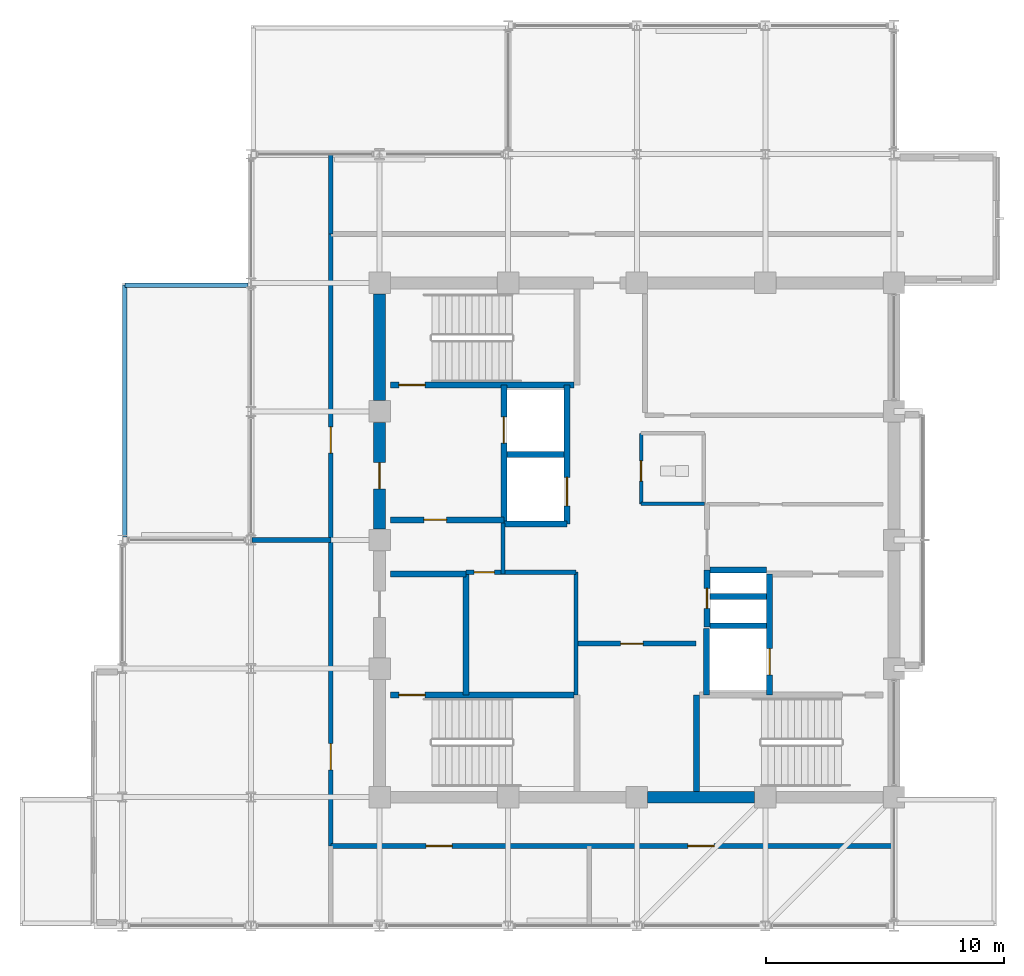
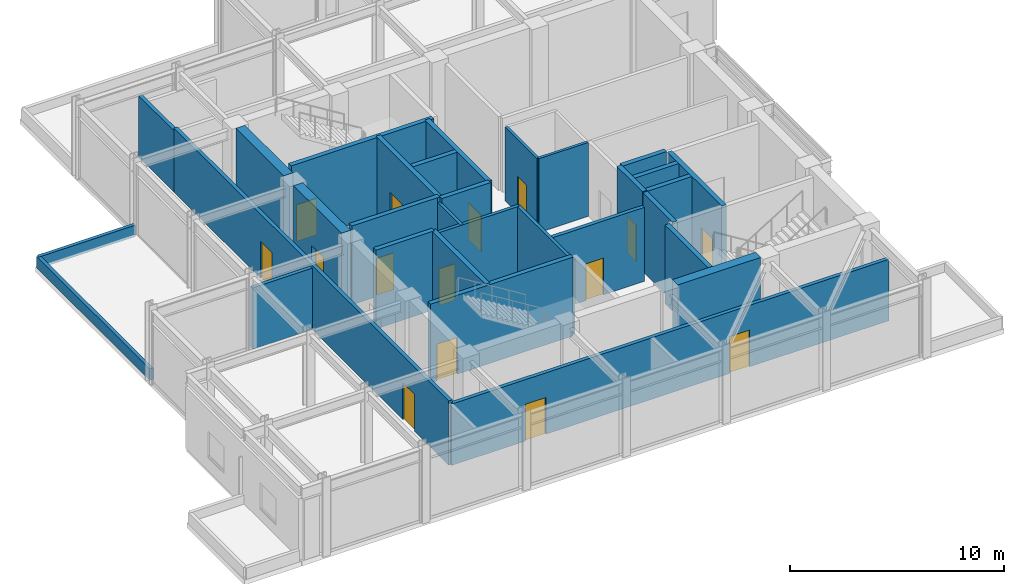
# One storey, part 15 of 21: 31 walls, 15 doors, 15 openings.
"""IFC4 building model written with IfcOpenShell, lengths in metres."""

import ifcopenshell
import ifcopenshell.guid

model = None  # the IFC model being written
_history = None  # IfcOwnerHistory: only IFC2X3 demands one
_inside = {}  # id of a spatial element -> (the spatial element, [elements in it])
_under = {}  # id of a project, library or spatial element -> (it, [spatial elements below it])
_declared = {}  # id of a project -> (the project, [libraries it declares])
_typed = {}  # id of a type object -> (the type object, [elements of that type])
_made_of = {}  # id of a material, layer set ... -> (it, [elements and type objects made of it])


def new_model(schema):
    """Start an empty IFC model of exactly this schema.

    Asked for "IFC4X3", IfcOpenShell would pick the latest addendum, in which some entities
    have other attributes; the version numbers below select the first issue.
    IFC2X3 requires an IfcOwnerHistory on every rooted entity: one is made here for all.
    """
    global model, _history
    if schema == "IFC4X3":
        model = ifcopenshell.file(schema_version=(4, 3, 0, 0))
    else:
        model = ifcopenshell.file(schema=schema)
    _inside.clear()
    _under.clear()
    _declared.clear()
    _typed.clear()
    _made_of.clear()
    _history = None
    if model.schema == "IFC2X3":
        org = make("IfcOrganization", Name="unknown")
        user = make(
            "IfcPersonAndOrganization",
            ThePerson=make("IfcPerson", FamilyName="unknown"),
            TheOrganization=org,
        )
        app = make(
            "IfcApplication",
            ApplicationDeveloper=org,
            Version="unknown",
            ApplicationFullName="unknown",
            ApplicationIdentifier="unknown",
        )
        _history = make(
            "IfcOwnerHistory",
            OwningUser=user,
            OwningApplication=app,
            ChangeAction="ADDED",
            CreationDate=0,
        )
    return model


def make(cls, **values):
    """One entity of the class cls with the attributes given. An attribute that is None is left unset."""
    return model.create_entity(
        cls, **{name: value for name, value in values.items() if value is not None}
    )


def rooted(cls, **values):
    """An entity with a GlobalId (a new one), such as an element, a storey or a relation."""
    return make(cls, GlobalId=ifcopenshell.guid.new(), OwnerHistory=_history, **values)


def si_unit(unit_type, name, prefix=None):
    """IfcSIUnit, for example si_unit("LENGTHUNIT", "METRE", prefix="MILLI")."""
    return make("IfcSIUnit", UnitType=unit_type, Prefix=prefix, Name=name)


def assignment(units):
    """IfcUnitAssignment: the units of a project."""
    return None if units is None else make("IfcUnitAssignment", Units=units)


def point(xyz):
    """IfcCartesianPoint."""
    return None if xyz is None else make("IfcCartesianPoint", Coordinates=xyz)


def direction(xyz):
    """IfcDirection."""
    return None if xyz is None else make("IfcDirection", DirectionRatios=xyz)


def frame(location, z_axis=None, x_axis=None):
    """IfcAxis2Placement3D, a coordinate frame: its origin and axes. An axis left out is left unset."""
    return make(
        "IfcAxis2Placement3D",
        Location=point(location),
        Axis=direction(z_axis),
        RefDirection=direction(x_axis),
    )


def frame_2d(location, x_axis=None):
    """IfcAxis2Placement2D, a coordinate frame in the plane: its origin and x axis."""
    return make(
        "IfcAxis2Placement2D", Location=point(location), RefDirection=direction(x_axis)
    )


def origin():
    """The frame at (0, 0, 0) with its axes left unset."""
    return frame((0.0, 0.0, 0.0))


def place(relative_to, where):
    """IfcLocalPlacement: puts the frame where relative to a parent placement (None: the world)."""
    return make(
        "IfcLocalPlacement", PlacementRelTo=relative_to, RelativePlacement=where
    )


def context(
    kind, dimensions, precision=None, world=None, true_north=None, identifier=None
):
    """IfcGeometricRepresentationContext, for example the 3D "Model" context."""
    return make(
        "IfcGeometricRepresentationContext",
        ContextIdentifier=identifier,
        ContextType=kind,
        CoordinateSpaceDimension=dimensions,
        Precision=precision,
        WorldCoordinateSystem=world,
        TrueNorth=true_north,
    )


def subcontext(parent, identifier, kind, view, scale=None):
    """IfcGeometricRepresentationSubContext, for example "Body" below "Model"."""
    return make(
        "IfcGeometricRepresentationSubContext",
        ContextIdentifier=identifier,
        ContextType=kind,
        ParentContext=parent,
        TargetScale=scale,
        TargetView=view,
    )


def project(units=None, contexts=None):
    """IfcProject with its units and contexts."""
    return rooted(
        "IfcProject",
        Name="project",
        RepresentationContexts=contexts,
        UnitsInContext=assignment(units),
    )


def spatial(cls, under=None, at=None, **own):
    """A site, building, storey or space (cls), placed at a placement, below another one or the project."""
    s = rooted(cls, ObjectPlacement=at, **own)
    if under is not None:
        _under.setdefault(under.id(), (under, []))[1].append(s)
    return s


def profile(cls, at=None, kind="AREA", **sizes):
    """A parametric profile (cls). Its sizes go by their IFC names, for example OverallWidth=200.0."""
    return make(cls, ProfileType=kind, Position=at, **sizes)


def rectangle(**sizes):
    """IfcRectangleProfileDef."""
    return profile("IfcRectangleProfileDef", **sizes)


def extrude(swept, where, along, depth):
    """IfcExtrudedAreaSolid: the profile swept, set in the frame where, extruded along a direction by depth."""
    return make(
        "IfcExtrudedAreaSolid",
        SweptArea=swept,
        Position=where,
        ExtrudedDirection=direction(along),
        Depth=depth,
    )


def shape(context_of_items, identifier, shape_type, items):
    """IfcShapeRepresentation: the items that make up one representation, for example the "Body"."""
    return make(
        "IfcShapeRepresentation",
        ContextOfItems=context_of_items,
        RepresentationIdentifier=identifier,
        RepresentationType=shape_type,
        Items=items,
    )


def material(Name=None, Category=None):
    """IfcMaterial."""
    return make("IfcMaterial", Name=Name, Category=Category)


def layer(
    of_material, thickness, ventilated=None, Name=None, Category=None, Priority=None
):
    """IfcMaterialLayer: one layer of a wall or slab, of a material (None: an air gap)."""
    return make(
        "IfcMaterialLayer",
        Material=of_material,
        LayerThickness=thickness,
        IsVentilated=ventilated,
        Name=Name,
        Category=Category,
        Priority=Priority,
    )


def layer_set(layers, Name=None):
    """IfcMaterialLayerSet."""
    return make("IfcMaterialLayerSet", MaterialLayers=layers, LayerSetName=Name)


def made_of(thing, what):
    """Note that an element or type object is made of a material, layer set ...; save() writes the relation."""
    if what is not None:
        _made_of.setdefault(what.id(), (what, []))[1].append(thing)
    return thing


def type_object(cls, material=None, **own):
    """A type object (cls), such as IfcWallType, which elements share."""
    return made_of(rooted(cls, **own), material)


def element(
    cls,
    number,
    at=None,
    inside=None,
    cuts=None,
    type_object=None,
    material=None,
    context=None,
    identifier="Body",
    shape_type=None,
    held_by="IfcProductDefinitionShape",
    body=None,
    shapes=None,
    **own,
):
    """One element of the class cls, such as IfcWall. Its Tag is "e" and its number.

    at: its placement. inside: the storey or other place that contains it. cuts: it is an
    opening in that element (IfcRelVoidsElement). A single representation is given by context,
    identifier, shape_type and body (its items); several are given by shapes. held_by: the class
    of the entity that holds the representations. save() writes the other relations.
    """
    e = rooted(cls, Tag="e%d" % number, ObjectPlacement=at, **own)
    if body is not None:
        shapes = [shape(context, identifier, shape_type, body)]
    if shapes is not None:
        e.Representation = make(held_by, Representations=shapes)
    if inside is not None:
        _inside.setdefault(inside.id(), (inside, []))[1].append(e)
    if cuts is not None:
        rooted(
            "IfcRelVoidsElement", RelatingBuildingElement=cuts, RelatedOpeningElement=e
        )
    if type_object is not None:
        _typed.setdefault(type_object.id(), (type_object, []))[1].append(e)
    return made_of(e, material)


def fill(opening, filler):
    """IfcRelFillsElement: the door or window that sits in an opening."""
    return rooted(
        "IfcRelFillsElement",
        RelatingOpeningElement=opening,
        RelatedBuildingElement=filler,
    )


def aggregate(whole, parts):
    """IfcRelAggregates: a whole, such as a stair, and the parts it consists of."""
    return rooted("IfcRelAggregates", RelatingObject=whole, RelatedObjects=parts)


def save(model, path):
    """Write the relations noted so far, then the file.

    IfcRelAggregates (storeys below a building ...), IfcRelContainedInSpatialStructure (elements
    in a storey), IfcRelDefinesByType, IfcRelAssociatesMaterial and IfcRelDeclares: one each for
    every whole, place, type object, material and project.
    """
    for whole, parts in _under.values():
        aggregate(whole, parts)
    for where, things in _inside.values():
        rooted(
            "IfcRelContainedInSpatialStructure",
            RelatedElements=things,
            RelatingStructure=where,
        )
    for kind, things in _typed.values():
        rooted("IfcRelDefinesByType", RelatedObjects=things, RelatingType=kind)
    for what, things in _made_of.values():
        rooted("IfcRelAssociatesMaterial", RelatedObjects=things, RelatingMaterial=what)
    for by, libraries in _declared.values():
        rooted("IfcRelDeclares", RelatingContext=by, RelatedDefinitions=libraries)
    model.write(path)


model = new_model("IFC4")

# Units and contexts
model_context = context("Model", 3, precision=1e-05, world=origin(), true_north=direction((0.0, 1.0)))
body_context = subcontext(model_context, "Body", "Model", "MODEL_VIEW")
ifc_project = project(units=[si_unit("LENGTHUNIT", "METRE"), si_unit("AREAUNIT", "SQUARE_METRE"), si_unit("VOLUMEUNIT", "CUBIC_METRE"), si_unit("PLANEANGLEUNIT", "RADIAN"), si_unit("MASSUNIT", "GRAM", prefix="KILO")], contexts=[model_context])

# Site, building, storey
site_placement = place(None, origin())
site = spatial("IfcSite", under=ifc_project, at=site_placement, CompositionType="ELEMENT")
building_placement = place(site_placement, origin())
building = spatial("IfcBuilding", under=site, at=building_placement, Name="Surkhivell Harbour Commons", CompositionType="ELEMENT")
storey_placement = place(building_placement, frame((0.0, 0.0, 346.5)))
storey = spatial("IfcBuildingStorey", under=building, at=storey_placement, Name="L90", CompositionType="ELEMENT", Elevation=346.5)

# Wall
ifc_material_1 = material(Name="Concrete C50/60", Category="concrete")
ifc_layer_1 = layer(ifc_material_1, 0.5)
ifc_layer_set_1 = layer_set([ifc_layer_1], Name="Concrete C50/60")
wall_type_1 = type_object("IfcWallType", Name="WAL-CORE-500", PredefinedType="SHEAR", material=ifc_layer_set_1)
wall_1_placement = place(storey_placement, frame((0.4599609375, -10.800048828125, 0.0), z_axis=(0.0, 0.0, 1.0), x_axis=(1.0, 0.0, 0.0)))
element("IfcWall", 1, at=wall_1_placement, inside=storey, type_object=wall_type_1, Name="L90 Core Shear Wall South 3", PredefinedType="SHEAR", context=body_context, shape_type="SweptSolid", body=[
    extrude(rectangle(XDim=4.47998046875, YDim=0.5, at=frame_2d((2.239990234375, 0.0))), origin(), (0.0, 0.0, 1.0), 4.5),
])

# Wall, opening, door
wall_2_placement = place(storey_placement, frame((-10.800048828125, 0.4599609375, 0.0), z_axis=(0.0, 0.0, 1.0), x_axis=(0.0, 1.0, 0.0)))
wall_2 = element("IfcWall", 2, at=wall_2_placement, inside=storey, type_object=wall_type_1, Name="L90 Core Shear Wall West 3", PredefinedType="SHEAR", context=body_context, shape_type="SweptSolid", body=[
    extrude(rectangle(XDim=4.47998046875, YDim=0.5, at=frame_2d((2.239990234375, 0.0))), origin(), (0.0, 0.0, 1.0), 4.5),
])
opening_1_placement = place(wall_2_placement, frame((1.68994140625, 0.0, 0.0)))
opening_1 = element("IfcOpeningElement", 3, at=opening_1_placement, cuts=wall_2, Name="Opening ID-1", PredefinedType="OPENING", context=body_context, shape_type="SweptSolid", body=[
    extrude(rectangle(XDim=1.10009765625, YDim=2.10009765625, at=frame_2d((0.550048828125, 1.050048828125))), frame((0.0, 0.260009765625, 0.0), z_axis=(0.0, -1.0, 0.0), x_axis=(1.0, 0.0, 0.0)), (0.0, 0.0, 1.0), 0.52001953125),
])
ifc_material_2 = material(Name="Hardwood-veneered fire-rated door leaf", Category="wood")
door_type_1 = type_object("IfcDoorType", Name="DOR-FD120-1100", OperationType="NOTDEFINED", PredefinedType="DOOR", material=ifc_material_2)
door_1_placement = place(opening_1_placement, origin())
door_1 = element("IfcDoor", 4, at=door_1_placement, inside=storey, type_object=door_type_1, Name="L90 Firefighting Lobby 1 Corridor Door", OperationType="SINGLE_SWING_LEFT", OverallHeight=2.10009765625, OverallWidth=1.10009765625, PredefinedType="DOOR", context=body_context, shape_type="SweptSolid", body=[
    extrude(rectangle(XDim=1.10009765625, YDim=2.10009765625, at=frame_2d((0.550048828125, 1.050048828125))), frame((0.0, 0.02490234375, 0.0), z_axis=(0.0, -1.0, 0.0), x_axis=(1.0, 0.0, 0.0)), (0.0, 0.0, 1.0), 0.050048828125),
])
fill(opening_1, door_1)

# Walls
wall_3_placement = place(storey_placement, frame((-10.800048828125, 5.860107421875, 0.0), z_axis=(0.0, 0.0, 1.0), x_axis=(0.0, 1.0, 0.0)))
element("IfcWall", 5, at=wall_3_placement, inside=storey, type_object=wall_type_1, Name="L90 Core Shear Wall West 4", PredefinedType="SHEAR", context=body_context, shape_type="SweptSolid", body=[
    extrude(rectangle(XDim=4.47998046875, YDim=0.5, at=frame_2d((2.239990234375, 0.0))), origin(), (0.0, 0.0, 1.0), 4.5),
])
ifc_material_3 = material(Name="Twin-stud acoustic fireboard partition", Category="other")
ifc_layer_2 = layer(ifc_material_3, 0.14990234375)
ifc_layer_set_2 = layer_set([ifc_layer_2], Name="Twin-stud acoustic fireboard partition")
wall_type_2 = type_object("IfcWallType", Name="WAL-INT-150", PredefinedType="PARTITIONING", material=ifc_layer_set_2)
wall_4_placement = place(storey_placement, frame((0.179931640625, 1.52001953125, 0.0), z_axis=(0.0, 0.0, 1.0), x_axis=(1.0, 0.0, 0.0)))
element("IfcWall", 6, at=wall_4_placement, inside=storey, type_object=wall_type_2, Name="L90 Core Accessible WC South Wall", PredefinedType="PARTITIONING", context=body_context, shape_type="SweptSolid", body=[
    extrude(rectangle(XDim=2.670166015625, YDim=0.14990234375, at=frame_2d((1.3349609375, 0.0))), origin(), (0.0, 0.0, 1.0), 4.219970703125),
])

# Wall, opening, door
wall_5_placement = place(storey_placement, frame((0.179931640625, 1.52001953125, 0.0), z_axis=(0.0, 0.0, 1.0), x_axis=(0.0, 1.0, 0.0)))
wall_5 = element("IfcWall", 7, at=wall_5_placement, inside=storey, type_object=wall_type_2, Name="L90 Core Accessible WC West Wall", PredefinedType="PARTITIONING", context=body_context, shape_type="SweptSolid", body=[
    extrude(rectangle(XDim=2.9599609375, YDim=0.14990234375, at=frame_2d((1.47998046875, 0.0))), origin(), (0.0, 0.0, 1.0), 4.219970703125),
])
opening_2_placement = place(wall_5_placement, frame((0.949951171875, 0.0, 0.0)))
opening_2 = element("IfcOpeningElement", 8, at=opening_2_placement, cuts=wall_5, Name="Opening ID-6", PredefinedType="OPENING", context=body_context, shape_type="SweptSolid", body=[
    extrude(rectangle(XDim=0.85009765625, YDim=2.10009765625, at=frame_2d((0.425048828125, 1.050048828125))), frame((0.0, 0.0849609375, 0.0), z_axis=(0.0, -1.0, 0.0), x_axis=(1.0, 0.0, 0.0)), (0.0, 0.0, 1.0), 0.169921875),
])
door_type_2 = type_object("IfcDoorType", Name="DOR-FD30-850", OperationType="NOTDEFINED", PredefinedType="DOOR", material=ifc_material_2)
door_2_placement = place(opening_2_placement, origin())
door_2 = element("IfcDoor", 9, at=door_2_placement, inside=storey, type_object=door_type_2, Name="L90 Floor Accessible WC Door", OperationType="SINGLE_SWING_RIGHT", OverallHeight=2.10009765625, OverallWidth=0.85009765625, PredefinedType="DOOR", context=body_context, shape_type="SweptSolid", body=[
    extrude(rectangle(XDim=0.85009765625, YDim=2.10009765625, at=frame_2d((0.425048828125, 1.050048828125))), frame((0.0, 0.02490234375, 0.0), z_axis=(0.0, -1.0, 0.0), x_axis=(1.0, 0.0, 0.0)), (0.0, 0.0, 1.0), 0.050048828125),
])
fill(opening_2, door_2)

# Wall
ifc_material_4 = material(Name="High-density acoustic blockwork fire partition", Category="masonry")
ifc_layer_3 = layer(ifc_material_4, 0.175048828125)
ifc_layer_set_3 = layer_set([ifc_layer_3], Name="High-density acoustic blockwork fire partition")
wall_type_3 = type_object("IfcWallType", Name="WAL-INT-175", PredefinedType="PARTITIONING", material=ifc_layer_set_3)
wall_6_placement = place(storey_placement, frame((-2.550048828125, -6.510009765625, 0.0), z_axis=(0.0, 0.0, 1.0), x_axis=(0.0, 1.0, 0.0)))
element("IfcWall", 10, at=wall_6_placement, inside=storey, type_object=wall_type_3, Name="L90 Core Service Bay East Wall", PredefinedType="PARTITIONING", context=body_context, shape_type="SweptSolid", body=[
    extrude(rectangle(XDim=5.159912109375, YDim=0.175048828125, at=frame_2d((2.580078125, 0.0))), origin(), (0.0, 0.0, 1.0), 4.219970703125),
])

# Wall, opening, door
wall_7_placement = place(storey_placement, frame((-7.179931640625, -1.35009765625, 0.0), z_axis=(0.0, 0.0, 1.0), x_axis=(1.0, 0.0, 0.0)))
wall_7 = element("IfcWall", 11, at=wall_7_placement, inside=storey, type_object=wall_type_3, Name="L90 Core Service Bay North Wall", PredefinedType="PARTITIONING", context=body_context, shape_type="SweptSolid", body=[
    extrude(rectangle(XDim=4.6298828125, YDim=0.175048828125, at=frame_2d((2.31494140625, 0.0))), origin(), (0.0, 0.0, 1.0), 4.219970703125),
])
opening_3_placement = place(wall_7_placement, frame((0.345947265625, 0.0, 0.0)))
opening_3 = element("IfcOpeningElement", 12, at=opening_3_placement, cuts=wall_7, Name="Opening ID-6", PredefinedType="OPENING", context=body_context, shape_type="SweptSolid", body=[
    extrude(rectangle(XDim=0.85009765625, YDim=2.10009765625, at=frame_2d((0.425048828125, 1.050048828125))), frame((0.0, 0.097412109375, 0.0), z_axis=(0.0, -1.0, 0.0), x_axis=(1.0, 0.0, 0.0)), (0.0, 0.0, 1.0), 0.195068359375),
])
door_3_placement = place(opening_3_placement, origin())
door_3 = element("IfcDoor", 13, at=door_3_placement, inside=storey, type_object=door_type_2, Name="L90 Core Metering Door", OperationType="SINGLE_SWING_LEFT", OverallHeight=2.10009765625, OverallWidth=0.85009765625, PredefinedType="DOOR", context=body_context, shape_type="SweptSolid", body=[
    extrude(rectangle(XDim=0.85009765625, YDim=2.10009765625, at=frame_2d((0.425048828125, 1.050048828125))), frame((0.0, 0.02490234375, 0.0), z_axis=(0.0, -1.0, 0.0), x_axis=(1.0, 0.0, 0.0)), (0.0, 0.0, 1.0), 0.050048828125),
])
fill(opening_3, door_3)

# Wall
wall_8_placement = place(storey_placement, frame((-5.6201171875, -1.419921875, 0.0), z_axis=(0.0, 0.0, 1.0), x_axis=(0.0, 1.0, 0.0)))
element("IfcWall", 14, at=wall_8_placement, inside=storey, type_object=wall_type_3, Name="L90 West Core Bay East Wall", PredefinedType="PARTITIONING", context=body_context, shape_type="SweptSolid", body=[
    extrude(rectangle(XDim=2.139892578125, YDim=0.175048828125, at=frame_2d((1.06982421875, 0.0))), origin(), (0.0, 0.0, 1.0), 4.219970703125),
])

# Wall, opening, door
ifc_material_5 = material(Name="Autoclaved aerated concrete blockwork and fire plaster", Category="masonry")
ifc_layer_4 = layer(ifc_material_5, 0.199951171875)
ifc_layer_set_4 = layer_set([ifc_layer_4], Name="Autoclaved aerated concrete blockwork and fire plaster")
wall_type_4 = type_object("IfcWallType", Name="WAL-INT-200", PredefinedType="PARTITIONING", material=ifc_layer_set_4)
wall_9_placement = place(storey_placement, frame((-2.47998046875, -4.35009765625, 0.0), z_axis=(0.0, 0.0, 1.0), x_axis=(1.0, 0.0, 0.0)))
wall_9 = element("IfcWall", 15, at=wall_9_placement, inside=storey, type_object=wall_type_4, Name="L90 Core Maintenance Store North Wall", PredefinedType="PARTITIONING", context=body_context, shape_type="SweptSolid", body=[
    extrude(rectangle(XDim=4.9599609375, YDim=0.199951171875, at=frame_2d((2.47998046875, 0.0))), origin(), (0.0, 0.0, 1.0), 4.219970703125),
])
opening_4_placement = place(wall_9_placement, frame((1.800048828125, 0.0, 0.0)))
opening_4 = element("IfcOpeningElement", 16, at=opening_4_placement, cuts=wall_9, Name="Opening ID-4", PredefinedType="OPENING", context=body_context, shape_type="SweptSolid", body=[
    extrude(rectangle(XDim=0.949951171875, YDim=2.10009765625, at=frame_2d((0.47509765625, 1.050048828125))), frame((0.0, 0.10986328125, 0.0), z_axis=(0.0, -1.0, 0.0), x_axis=(1.0, 0.0, 0.0)), (0.0, 0.0, 1.0), 0.219970703125),
])
door_type_3 = type_object("IfcDoorType", Name="DOR-FD60-950", OperationType="NOTDEFINED", PredefinedType="DOOR", material=ifc_material_2)
door_4_placement = place(opening_4_placement, origin())
door_4 = element("IfcDoor", 17, at=door_4_placement, inside=storey, type_object=door_type_3, Name="L90 Maintenance Store Door", OperationType="SINGLE_SWING_LEFT", OverallHeight=2.10009765625, OverallWidth=0.949951171875, PredefinedType="DOOR", context=body_context, shape_type="SweptSolid", body=[
    extrude(rectangle(XDim=0.949951171875, YDim=2.10009765625, at=frame_2d((0.47509765625, 1.050048828125))), frame((0.0, 0.02490234375, 0.0), z_axis=(0.0, -1.0, 0.0), x_axis=(1.0, 0.0, 0.0)), (0.0, 0.0, 1.0), 0.050048828125),
])
fill(opening_4, door_4)

# Walls
for number, where, z_axis, x_axis, name in (
    (18, (-16.159912109375, 0.0, 0.0), (0.0, 0.0, 1.0), (1.0, 0.0, 0.0), "L90 Crown Plant West Divider"),
    (19, (-12.85009765625, 12.85009765625, 0.0), (0.0, 0.0, 1.0), (0.0, 1.0, 0.0), "L90 Crown NW Corner Wall"),
):
    element("IfcWall", number, at=place(storey_placement, frame(where, z_axis=z_axis, x_axis=x_axis)), inside=storey, type_object=wall_type_4, Name=name, PredefinedType="PARTITIONING", context=body_context, shape_type="SweptSolid", body=[
        extrude(rectangle(XDim=3.309814453125, YDim=0.199951171875, at=frame_2d((1.65478515625, 0.0))), origin(), (0.0, 0.0, 1.0), 3.507080078125),
    ])

# Wall, openings, doors
wall_10_placement = place(storey_placement, frame((-12.85009765625, -12.85009765625, 0.0), z_axis=(0.0, 0.0, 1.0), x_axis=(1.0, 0.0, 0.0)))
wall_10 = element("IfcWall", 20, at=wall_10_placement, inside=storey, type_object=wall_type_4, Name="L90 Crown Corridor South Wall", PredefinedType="PARTITIONING", context=body_context, shape_type="SweptSolid", body=[
    extrude(rectangle(XDim=23.610107421875, YDim=0.199951171875, at=frame_2d((11.80517578125, 0.0))), origin(), (0.0, 0.0, 1.0), 3.507080078125),
])
opening_5_placement = place(wall_10_placement, frame((4.0, 0.0, 0.0)))
opening_5 = element("IfcOpeningElement", 21, at=opening_5_placement, cuts=wall_10, Name="Opening ID-2", PredefinedType="OPENING", context=body_context, shape_type="SweptSolid", body=[
    extrude(rectangle(XDim=1.10009765625, YDim=2.10009765625, at=frame_2d((0.550048828125, 1.050048828125))), frame((0.0, 0.10986328125, 0.0), z_axis=(0.0, -1.0, 0.0), x_axis=(1.0, 0.0, 0.0)), (0.0, 0.0, 1.0), 0.219970703125),
])
opening_6_placement = place(wall_10_placement, frame((15.0, 0.0, 0.0)))
opening_6 = element("IfcOpeningElement", 22, at=opening_6_placement, cuts=wall_10, Name="Opening ID-2", PredefinedType="OPENING", context=body_context, shape_type="SweptSolid", body=[
    extrude(rectangle(XDim=1.10009765625, YDim=2.10009765625, at=frame_2d((0.550048828125, 1.050048828125))), frame((0.0, 0.10986328125, 0.0), z_axis=(0.0, -1.0, 0.0), x_axis=(1.0, 0.0, 0.0)), (0.0, 0.0, 1.0), 0.219970703125),
])
door_type_4 = type_object("IfcDoorType", Name="DOR-FD60-1100", OperationType="NOTDEFINED", PredefinedType="DOOR", material=ifc_material_2)
door_5_placement = place(opening_5_placement, origin())
door_5 = element("IfcDoor", 23, at=door_5_placement, inside=storey, type_object=door_type_4, Name="L90 L90 West HV Switchgear Plant Room Door", OperationType="SINGLE_SWING_LEFT", OverallHeight=2.10009765625, OverallWidth=1.10009765625, PredefinedType="DOOR", context=body_context, shape_type="SweptSolid", body=[
    extrude(rectangle(XDim=1.10009765625, YDim=2.10009765625, at=frame_2d((0.550048828125, 1.050048828125))), frame((0.0, 0.02490234375, 0.0), z_axis=(0.0, -1.0, 0.0), x_axis=(1.0, 0.0, 0.0)), (0.0, 0.0, 1.0), 0.050048828125),
])
fill(opening_5, door_5)
door_6_placement = place(opening_6_placement, origin())
door_6 = element("IfcDoor", 24, at=door_6_placement, inside=storey, type_object=door_type_4, Name="L90 L90 East BMS Control Plant Room Door", OperationType="SINGLE_SWING_RIGHT", OverallHeight=2.10009765625, OverallWidth=1.10009765625, PredefinedType="DOOR", context=body_context, shape_type="SweptSolid", body=[
    extrude(rectangle(XDim=1.10009765625, YDim=2.10009765625, at=frame_2d((0.550048828125, 1.050048828125))), frame((0.0, 0.02490234375, 0.0), z_axis=(0.0, -1.0, 0.0), x_axis=(1.0, 0.0, 0.0)), (0.0, 0.0, 1.0), 0.050048828125),
])
fill(opening_6, door_6)

wall_11_placement = place(storey_placement, frame((-12.85009765625, -12.85009765625, 0.0), z_axis=(0.0, 0.0, 1.0), x_axis=(0.0, 1.0, 0.0)))
wall_11 = element("IfcWall", 25, at=wall_11_placement, inside=storey, type_object=wall_type_4, Name="L90 Crown Corridor West Wall", PredefinedType="PARTITIONING", context=body_context, shape_type="SweptSolid", body=[
    extrude(rectangle(XDim=25.7001953125, YDim=0.199951171875, at=frame_2d((12.85009765625, 0.0))), origin(), (0.0, 0.0, 1.0), 3.6630859375),
])
opening_7_placement = place(wall_11_placement, frame((16.5, 0.0, 0.0)))
opening_7 = element("IfcOpeningElement", 26, at=opening_7_placement, cuts=wall_11, Name="Opening ID-2", PredefinedType="OPENING", context=body_context, shape_type="SweptSolid", body=[
    extrude(rectangle(XDim=1.10009765625, YDim=2.10009765625, at=frame_2d((0.550048828125, 1.050048828125))), frame((0.0, 0.10986328125, 0.0), z_axis=(0.0, -1.0, 0.0), x_axis=(1.0, 0.0, 0.0)), (0.0, 0.0, 1.0), 0.219970703125),
])
opening_8_placement = place(wall_11_placement, frame((3.199951171875, 0.0, 0.0)))
opening_8 = element("IfcOpeningElement", 27, at=opening_8_placement, cuts=wall_11, Name="Opening ID-2", PredefinedType="OPENING", context=body_context, shape_type="SweptSolid", body=[
    extrude(rectangle(XDim=1.10009765625, YDim=2.10009765625, at=frame_2d((0.550048828125, 1.050048828125))), frame((0.0, 0.10986328125, 0.0), z_axis=(0.0, -1.0, 0.0), x_axis=(1.0, 0.0, 0.0)), (0.0, 0.0, 1.0), 0.219970703125),
])
door_7_placement = place(opening_7_placement, origin())
door_7 = element("IfcDoor", 28, at=door_7_placement, inside=storey, type_object=door_type_4, Name="L90 L90 Potable Water Reserve Tank Room Door", OperationType="SINGLE_SWING_LEFT", OverallHeight=2.10009765625, OverallWidth=1.10009765625, PredefinedType="DOOR", context=body_context, shape_type="SweptSolid", body=[
    extrude(rectangle(XDim=1.10009765625, YDim=2.10009765625, at=frame_2d((0.550048828125, 1.050048828125))), frame((0.0, 0.02490234375, 0.0), z_axis=(0.0, -1.0, 0.0), x_axis=(1.0, 0.0, 0.0)), (0.0, 0.0, 1.0), 0.050048828125),
])
fill(opening_7, door_7)
door_8_placement = place(opening_8_placement, origin())
door_8 = element("IfcDoor", 29, at=door_8_placement, inside=storey, type_object=door_type_4, Name="L90 L90 Fire Service Reserve Tank Room Door", OperationType="SINGLE_SWING_RIGHT", OverallHeight=2.10009765625, OverallWidth=1.10009765625, PredefinedType="DOOR", context=body_context, shape_type="SweptSolid", body=[
    extrude(rectangle(XDim=1.10009765625, YDim=2.10009765625, at=frame_2d((0.550048828125, 1.050048828125))), frame((0.0, 0.02490234375, 0.0), z_axis=(0.0, -1.0, 0.0), x_axis=(1.0, 0.0, 0.0)), (0.0, 0.0, 1.0), 0.050048828125),
])
fill(opening_8, door_8)

# Walls
ifc_material_6 = material(Name="Anodised aluminium and precast concrete C40/50", Category="concrete")
ifc_layer_5 = layer(ifc_material_6, 0.18505859375)
ifc_layer_set_5 = layer_set([ifc_layer_5], Name="Anodised aluminium and precast concrete C40/50")
wall_type_5 = type_object("IfcWallType", Name="WAL-PAR-185", PredefinedType="PARAPET", material=ifc_layer_set_5)
wall_12_placement = place(storey_placement, frame((-16.320068359375, 10.699951171875, 0.0), z_axis=(0.0, 0.0, 1.0), x_axis=(-1.0, 0.0, 0.0)))
element("IfcWall", 30, at=wall_12_placement, inside=storey, type_object=wall_type_5, Name="L90 Box Roof Coping Parapet 4-1", PredefinedType="PARAPET", context=body_context, shape_type="SweptSolid", body=[
    extrude(rectangle(XDim=5.179931640625, YDim=0.18505859375, at=frame_2d((2.58984375, 0.0))), origin(), (0.0, 0.0, 1.0), 0.64990234375),
])
wall_13_placement = place(storey_placement, frame((-21.5, 10.699951171875, 0.0), z_axis=(0.0, 0.0, 1.0), x_axis=(0.0, -1.0, 0.0)))
element("IfcWall", 31, at=wall_13_placement, inside=storey, type_object=wall_type_5, Name="L90 Box Roof Coping Parapet 4-2", PredefinedType="PARAPET", context=body_context, shape_type="SweptSolid", body=[
    extrude(rectangle(XDim=10.579833984375, YDim=0.18505859375, at=frame_2d((5.2900390625, 0.0))), origin(), (0.0, 0.0, 1.0), 0.64990234375),
])

# Wall, opening, door
ifc_layer_6 = layer(ifc_material_1, 0.25)
ifc_layer_set_6 = layer_set([ifc_layer_6], Name="Concrete C50/60")
wall_type_6 = type_object("IfcWallType", Name="WAL-SHAFT-250", PredefinedType="SHEAR", material=ifc_layer_set_6)
wall_14_placement = place(storey_placement, frame((-5.580078125, 0.719970703125, 0.0), z_axis=(0.0, 0.0, 1.0), x_axis=(0.0, 1.0, 0.0)))
wall_14 = element("IfcWall", 32, at=wall_14_placement, inside=storey, type_object=wall_type_6, Name="L90 Firefighting Lobby 1 East Shaft Wall", PredefinedType="SHEAR", context=body_context, shape_type="SweptSolid", body=[
    extrude(rectangle(XDim=5.7900390625, YDim=0.25, at=frame_2d((2.89501953125, 0.0))), origin(), (0.0, 0.0, 1.0), 4.5),
])
opening_9_placement = place(wall_14_placement, frame((3.35009765625, 0.0, 0.0)))
opening_9 = element("IfcOpeningElement", 33, at=opening_9_placement, cuts=wall_14, Name="Opening LD-1", PredefinedType="OPENING", context=body_context, shape_type="SweptSolid", body=[
    extrude(rectangle(XDim=1.10009765625, YDim=2.10009765625, at=frame_2d((0.550048828125, 1.050048828125))), frame((0.0, 0.135009765625, 0.0), z_axis=(0.0, -1.0, 0.0), x_axis=(1.0, 0.0, 0.0)), (0.0, 0.0, 1.0), 0.27001953125),
])
ifc_material_7 = material(Name="Brushed stainless steel S355", Category="steel")
door_type_5 = type_object("IfcDoorType", Name="DOR-LD-1100", OperationType="SLIDING_TO_LEFT", PredefinedType="DOOR", material=ifc_material_7)
door_9_placement = place(opening_9_placement, origin())
door_9 = element("IfcDoor", 34, at=door_9_placement, inside=storey, type_object=door_type_5, Name="L90 Lift Landing Door LD-FFL1", OperationType="SLIDING_TO_LEFT", OverallHeight=2.10009765625, OverallWidth=1.10009765625, PredefinedType="DOOR", context=body_context, shape_type="SweptSolid", body=[
    extrude(rectangle(XDim=1.10009765625, YDim=2.10009765625, at=frame_2d((0.550048828125, 1.050048828125))), frame((0.0, 0.02490234375, 0.0), z_axis=(0.0, -1.0, 0.0), x_axis=(1.0, 0.0, 0.0)), (0.0, 0.0, 1.0), 0.050048828125),
])
fill(opening_9, door_9)

wall_15_placement = place(storey_placement, frame((-10.340087890625, 0.85009765625, 0.0), z_axis=(0.0, 0.0, 1.0), x_axis=(1.0, 0.0, 0.0)))
wall_15 = element("IfcWall", 35, at=wall_15_placement, inside=storey, type_object=wall_type_6, Name="L90 Firefighting Lobby 1 South Wall", PredefinedType="SHEAR", context=body_context, shape_type="SweptSolid", body=[
    extrude(rectangle(XDim=4.760009765625, YDim=0.25, at=frame_2d((2.3798828125, 0.0))), origin(), (0.0, 0.0, 1.0), 4.5),
])
opening_10_placement = place(wall_15_placement, frame((1.39990234375, 0.0, 0.0)))
opening_10 = element("IfcOpeningElement", 36, at=opening_10_placement, cuts=wall_15, Name="Opening ID-4", PredefinedType="OPENING", context=body_context, shape_type="SweptSolid", body=[
    extrude(rectangle(XDim=0.949951171875, YDim=2.10009765625, at=frame_2d((0.47509765625, 1.050048828125))), frame((0.0, 0.135009765625, 0.0), z_axis=(0.0, -1.0, 0.0), x_axis=(1.0, 0.0, 0.0)), (0.0, 0.0, 1.0), 0.27001953125),
])
door_10_placement = place(opening_10_placement, origin())
door_10 = element("IfcDoor", 37, at=door_10_placement, inside=storey, type_object=door_type_3, Name="L90 Core BMS Room Door", OperationType="SINGLE_SWING_RIGHT", OverallHeight=2.10009765625, OverallWidth=0.949951171875, PredefinedType="DOOR", context=body_context, shape_type="SweptSolid", body=[
    extrude(rectangle(XDim=0.949951171875, YDim=2.10009765625, at=frame_2d((0.47509765625, 1.050048828125))), frame((0.0, 0.02490234375, 0.0), z_axis=(0.0, -1.0, 0.0), x_axis=(1.0, 0.0, 0.0)), (0.0, 0.0, 1.0), 0.050048828125),
])
fill(opening_10, door_10)

# Walls
wall_16_placement = place(storey_placement, frame((2.929931640625, -6.510009765625, 0.0), z_axis=(0.0, 0.0, 1.0), x_axis=(0.0, 1.0, 0.0)))
element("IfcWall", 38, at=wall_16_placement, inside=storey, type_object=wall_type_6, Name="L90 FFL2 West Shaft Wall", PredefinedType="SHEAR", context=body_context, shape_type="SweptSolid", body=[
    extrude(rectangle(XDim=2.7900390625, YDim=0.25, at=frame_2d((1.39501953125, 0.0))), origin(), (0.0, 0.0, 1.0), 4.5),
])
wall_17_placement = place(storey_placement, frame((3.080078125, -3.60009765625, 0.0), z_axis=(0.0, 0.0, 1.0), x_axis=(1.0, 0.0, 0.0)))
element("IfcWall", 39, at=wall_17_placement, inside=storey, type_object=wall_type_6, Name="L90 FFL2 North Shaft Wall", PredefinedType="SHEAR", context=body_context, shape_type="SweptSolid", body=[
    extrude(rectangle(XDim=2.369873046875, YDim=0.25, at=frame_2d((1.18505859375, 0.0))), origin(), (0.0, 0.0, 1.0), 4.5),
])

# Wall, opening, door
wall_18_placement = place(storey_placement, frame((5.580078125, -6.510009765625, 0.0), z_axis=(0.0, 0.0, 1.0), x_axis=(0.0, 1.0, 0.0)))
wall_18 = element("IfcWall", 40, at=wall_18_placement, inside=storey, type_object=wall_type_6, Name="L90 Firefighting Lobby 2 West Shaft Wall", PredefinedType="SHEAR", context=body_context, shape_type="SweptSolid", body=[
    extrude(rectangle(XDim=5.090087890625, YDim=0.25, at=frame_2d((2.544921875, 0.0))), origin(), (0.0, 0.0, 1.0), 4.5),
])
opening_11_placement = place(wall_18_placement, frame((0.85009765625, 0.0, 0.0)))
opening_11 = element("IfcOpeningElement", 41, at=opening_11_placement, cuts=wall_18, Name="Opening LD-1", PredefinedType="OPENING", context=body_context, shape_type="SweptSolid", body=[
    extrude(rectangle(XDim=1.10009765625, YDim=2.10009765625, at=frame_2d((0.550048828125, 1.050048828125))), frame((0.0, 0.135009765625, 0.0), z_axis=(0.0, -1.0, 0.0), x_axis=(1.0, 0.0, 0.0)), (0.0, 0.0, 1.0), 0.27001953125),
])
door_11_placement = place(opening_11_placement, origin())
door_11 = element("IfcDoor", 42, at=door_11_placement, inside=storey, type_object=door_type_5, Name="L90 Lift Landing Door LD-FFL2", OperationType="SLIDING_TO_RIGHT", OverallHeight=2.10009765625, OverallWidth=1.10009765625, PredefinedType="DOOR", context=body_context, shape_type="SweptSolid", body=[
    extrude(rectangle(XDim=1.10009765625, YDim=2.10009765625, at=frame_2d((0.550048828125, 1.050048828125))), frame((0.0, 0.02490234375, 0.0), z_axis=(0.0, -1.0, 0.0), x_axis=(1.0, 0.0, 0.0)), (0.0, 0.0, 1.0), 0.050048828125),
])
fill(opening_11, door_11)

# Walls
for number, where, z_axis, x_axis, name in (
    (43, (3.080078125, -2.3798828125, 0.0), (0.0, 0.0, 1.0), (1.0, 0.0, 0.0), "L90 Riser Divider Wall"),
    (44, (3.080078125, -1.25, 0.0), (0.0, 0.0, 1.0), (1.0, 0.0, 0.0), "L90 Riser North Wall"),
):
    element("IfcWall", number, at=place(storey_placement, frame(where, z_axis=z_axis, x_axis=x_axis)), inside=storey, type_object=wall_type_6, Name=name, PredefinedType="SHEAR", context=body_context, shape_type="SweptSolid", body=[
        extrude(rectangle(XDim=2.369873046875, YDim=0.25, at=frame_2d((1.18505859375, 0.0))), origin(), (0.0, 0.0, 1.0), 4.5),
    ])

# Wall, opening, door
wall_19_placement = place(storey_placement, frame((2.949951171875, -3.64990234375, 0.0), z_axis=(0.0, 0.0, 1.0), x_axis=(0.0, 1.0, 0.0)))
wall_19 = element("IfcWall", 45, at=wall_19_placement, inside=storey, type_object=wall_type_6, Name="L90 Riser Shaft West Wall", PredefinedType="SHEAR", context=body_context, shape_type="SweptSolid", body=[
    extrude(rectangle(XDim=2.39990234375, YDim=0.25, at=frame_2d((1.199951171875, 0.0))), origin(), (0.0, 0.0, 1.0), 4.5),
])
opening_12_placement = place(wall_19_placement, frame((0.77490234375, 0.0, 0.0)))
opening_12 = element("IfcOpeningElement", 46, at=opening_12_placement, cuts=wall_19, Name="Opening ID-6", PredefinedType="OPENING", context=body_context, shape_type="SweptSolid", body=[
    extrude(rectangle(XDim=0.85009765625, YDim=2.10009765625, at=frame_2d((0.425048828125, 1.050048828125))), frame((0.0, 0.135009765625, 0.0), z_axis=(0.0, -1.0, 0.0), x_axis=(1.0, 0.0, 0.0)), (0.0, 0.0, 1.0), 0.27001953125),
])
door_12_placement = place(opening_12_placement, origin())
door_12 = element("IfcDoor", 47, at=door_12_placement, inside=storey, type_object=door_type_2, Name="L90 Electrical Riser Access Door", OperationType="SINGLE_SWING_LEFT", OverallHeight=2.10009765625, OverallWidth=0.85009765625, PredefinedType="DOOR", context=body_context, shape_type="SweptSolid", body=[
    extrude(rectangle(XDim=0.85009765625, YDim=2.10009765625, at=frame_2d((0.425048828125, 1.050048828125))), frame((0.0, 0.02490234375, 0.0), z_axis=(0.0, -1.0, 0.0), x_axis=(1.0, 0.0, 0.0)), (0.0, 0.0, 1.0), 0.050048828125),
])
fill(opening_12, door_12)

wall_20_placement = place(storey_placement, frame((-10.340087890625, 6.510009765625, 0.0), z_axis=(0.0, 0.0, 1.0), x_axis=(1.0, 0.0, 0.0)))
wall_20 = element("IfcWall", 48, at=wall_20_placement, inside=storey, type_object=wall_type_6, Name="L90 Stair ST1 South Shear Wall", PredefinedType="SHEAR", context=body_context, shape_type="SweptSolid", body=[
    extrude(rectangle(XDim=7.7001953125, YDim=0.25, at=frame_2d((3.85009765625, 0.0))), origin(), (0.0, 0.0, 1.0), 4.5),
])
opening_13_placement = place(wall_20_placement, frame((0.35009765625, 0.0, 0.0)))
opening_13 = element("IfcOpeningElement", 49, at=opening_13_placement, cuts=wall_20, Name="Opening ID-2", PredefinedType="OPENING", context=body_context, shape_type="SweptSolid", body=[
    extrude(rectangle(XDim=1.10009765625, YDim=2.10009765625, at=frame_2d((0.550048828125, 1.050048828125))), frame((0.0, 0.135009765625, 0.0), z_axis=(0.0, -1.0, 0.0), x_axis=(1.0, 0.0, 0.0)), (0.0, 0.0, 1.0), 0.27001953125),
])
door_13_placement = place(opening_13_placement, origin())
door_13 = element("IfcDoor", 50, at=door_13_placement, inside=storey, type_object=door_type_4, Name="L90 Stair ST1 Exit Door", OperationType="SINGLE_SWING_LEFT", OverallHeight=2.10009765625, OverallWidth=1.10009765625, PredefinedType="DOOR", context=body_context, shape_type="SweptSolid", body=[
    extrude(rectangle(XDim=1.10009765625, YDim=2.10009765625, at=frame_2d((0.550048828125, 1.050048828125))), frame((0.0, 0.02490234375, 0.0), z_axis=(0.0, -1.0, 0.0), x_axis=(1.0, 0.0, 0.0)), (0.0, 0.0, 1.0), 0.050048828125),
])
fill(opening_13, door_13)

# Walls
wall_21_placement = place(storey_placement, frame((2.510009765625, -10.550048828125, 0.0), z_axis=(0.0, 0.0, 1.0), x_axis=(0.0, 1.0, 0.0)))
element("IfcWall", 51, at=wall_21_placement, inside=storey, type_object=wall_type_6, Name="L90 Stair ST2 West Shear Wall", PredefinedType="SHEAR", context=body_context, shape_type="SweptSolid", body=[
    extrude(rectangle(XDim=4.0400390625, YDim=0.25, at=frame_2d((2.02001953125, 0.0))), origin(), (0.0, 0.0, 1.0), 4.5),
])
wall_22_placement = place(storey_placement, frame((-7.179931640625, -6.510009765625, 0.0), z_axis=(0.0, 0.0, 1.0), x_axis=(0.0, 1.0, 0.0)))
element("IfcWall", 52, at=wall_22_placement, inside=storey, type_object=wall_type_6, Name="L90 Stair 3 Lobby East Wall", PredefinedType="SHEAR", context=body_context, shape_type="SweptSolid", body=[
    extrude(rectangle(XDim=5.090087890625, YDim=0.25, at=frame_2d((2.544921875, 0.0))), origin(), (0.0, 0.0, 1.0), 4.5),
])
wall_23_placement = place(storey_placement, frame((-10.340087890625, -1.419921875, 0.0), z_axis=(0.0, 0.0, 1.0), x_axis=(1.0, 0.0, 0.0)))
element("IfcWall", 53, at=wall_23_placement, inside=storey, type_object=wall_type_6, Name="L90 Stair 3 Lobby North Wall", PredefinedType="SHEAR", context=body_context, shape_type="SweptSolid", body=[
    extrude(rectangle(XDim=3.16015625, YDim=0.25, at=frame_2d((1.580078125, 0.0))), origin(), (0.0, 0.0, 1.0), 4.5),
])

# Wall, opening, door
wall_24_placement = place(storey_placement, frame((-10.340087890625, -6.510009765625, 0.0), z_axis=(0.0, 0.0, 1.0), x_axis=(1.0, 0.0, 0.0)))
wall_24 = element("IfcWall", 54, at=wall_24_placement, inside=storey, type_object=wall_type_6, Name="L90 Stair ST3 North Shear Wall", PredefinedType="SHEAR", context=body_context, shape_type="SweptSolid", body=[
    extrude(rectangle(XDim=7.7001953125, YDim=0.25, at=frame_2d((3.85009765625, 0.0))), origin(), (0.0, 0.0, 1.0), 4.5),
])
opening_14_placement = place(wall_24_placement, frame((0.35009765625, 0.0, 0.0)))
opening_14 = element("IfcOpeningElement", 55, at=opening_14_placement, cuts=wall_24, Name="Opening ID-2", PredefinedType="OPENING", context=body_context, shape_type="SweptSolid", body=[
    extrude(rectangle(XDim=1.10009765625, YDim=2.10009765625, at=frame_2d((0.550048828125, 1.050048828125))), frame((0.0, 0.135009765625, 0.0), z_axis=(0.0, -1.0, 0.0), x_axis=(1.0, 0.0, 0.0)), (0.0, 0.0, 1.0), 0.27001953125),
])
door_14_placement = place(opening_14_placement, origin())
door_14 = element("IfcDoor", 56, at=door_14_placement, inside=storey, type_object=door_type_4, Name="L90 Stair ST3 Exit Door", OperationType="SINGLE_SWING_RIGHT", OverallHeight=2.10009765625, OverallWidth=1.10009765625, PredefinedType="DOOR", context=body_context, shape_type="SweptSolid", body=[
    extrude(rectangle(XDim=1.10009765625, YDim=2.10009765625, at=frame_2d((0.550048828125, 1.050048828125))), frame((0.0, 0.02490234375, 0.0), z_axis=(0.0, -1.0, 0.0), x_axis=(1.0, 0.0, 0.0)), (0.0, 0.0, 1.0), 0.050048828125),
])
fill(opening_14, door_14)

wall_25_placement = place(storey_placement, frame((-2.929931640625, 0.679931640625, 0.0), z_axis=(0.0, 0.0, 1.0), x_axis=(0.0, 1.0, 0.0)))
wall_25 = element("IfcWall", 57, at=wall_25_placement, inside=storey, type_object=wall_type_6, Name="L90 Service and Fire Lift East Shaft Wall", PredefinedType="SHEAR", context=body_context, shape_type="SweptSolid", body=[
    extrude(rectangle(XDim=5.830078125, YDim=0.25, at=frame_2d((2.9150390625, 0.0))), origin(), (0.0, 0.0, 1.0), 4.5),
])
opening_15_placement = place(wall_25_placement, frame((0.75, 0.0, 0.0)))
opening_15 = element("IfcOpeningElement", 58, at=opening_15_placement, cuts=wall_25, Name="Opening LD-2", PredefinedType="OPENING", context=body_context, shape_type="SweptSolid", body=[
    extrude(rectangle(XDim=1.199951171875, YDim=2.10009765625, at=frame_2d((0.60009765625, 1.050048828125))), frame((0.0, 0.135009765625, 0.0), z_axis=(0.0, -1.0, 0.0), x_axis=(1.0, 0.0, 0.0)), (0.0, 0.0, 1.0), 0.27001953125),
])
door_type_6 = type_object("IfcDoorType", Name="DOR-LD-1200", OperationType="SLIDING_TO_LEFT", PredefinedType="DOOR", material=ifc_material_7)
door_15_placement = place(opening_15_placement, origin())
door_15 = element("IfcDoor", 59, at=door_15_placement, inside=storey, type_object=door_type_6, Name="L90 Lift Landing Door LD-SVL1", OperationType="SLIDING_TO_LEFT", OverallHeight=2.10009765625, OverallWidth=1.199951171875, PredefinedType="DOOR", context=body_context, shape_type="SweptSolid", body=[
    extrude(rectangle(XDim=1.199951171875, YDim=2.10009765625, at=frame_2d((0.60009765625, 1.050048828125))), frame((0.0, 0.02490234375, 0.0), z_axis=(0.0, -1.0, 0.0), x_axis=(1.0, 0.0, 0.0)), (0.0, 0.0, 1.0), 0.050048828125),
])
fill(opening_15, door_15)

# Walls
wall_26_placement = place(storey_placement, frame((-5.449951171875, 3.60009765625, 0.0), z_axis=(0.0, 0.0, 1.0), x_axis=(1.0, 0.0, 0.0)))
element("IfcWall", 60, at=wall_26_placement, inside=storey, type_object=wall_type_6, Name="L90 FFL1/SVL1 Shaft Divider", PredefinedType="SHEAR", context=body_context, shape_type="SweptSolid", body=[
    extrude(rectangle(XDim=2.389892578125, YDim=0.25, at=frame_2d((1.19482421875, 0.0))), origin(), (0.0, 0.0, 1.0), 4.5),
])
wall_27_placement = place(storey_placement, frame((-5.580078125, 0.679931640625, 0.0), z_axis=(0.0, 0.0, 1.0), x_axis=(1.0, 0.0, 0.0)))
element("IfcWall", 61, at=wall_27_placement, inside=storey, type_object=wall_type_6, Name="L90 SVL1 South Shaft Wall", PredefinedType="SHEAR", context=body_context, shape_type="SweptSolid", body=[
    extrude(rectangle(XDim=2.650146484375, YDim=0.25, at=frame_2d((1.3251953125, 0.0))), origin(), (0.0, 0.0, 1.0), 4.5),
])

save(model, "model.ifc")
